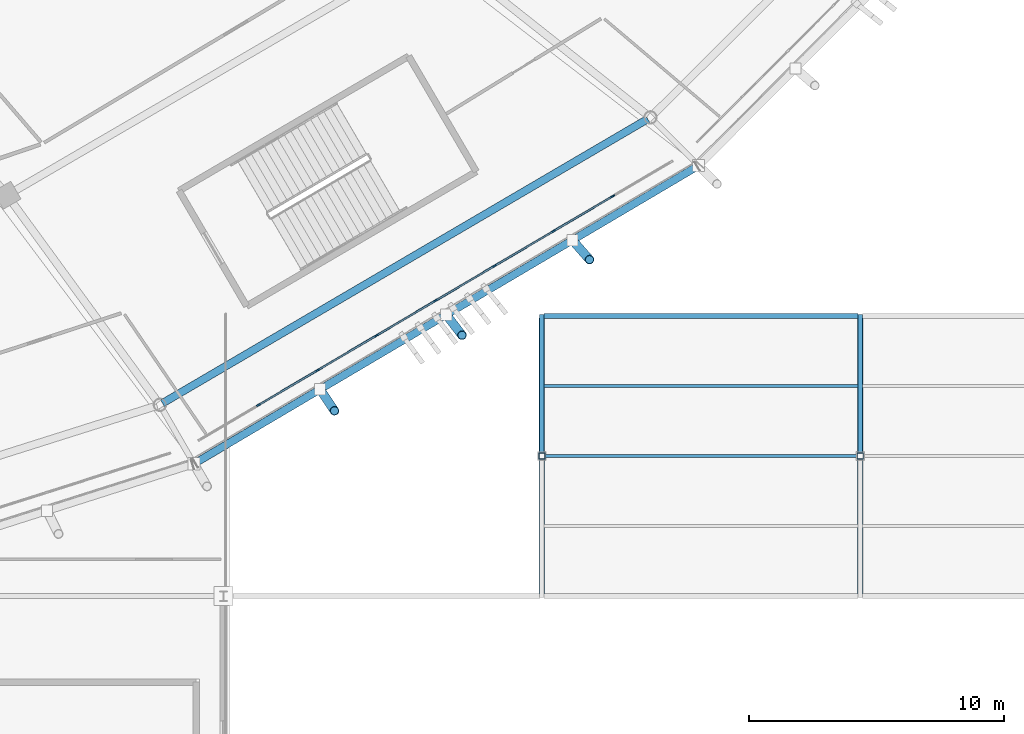
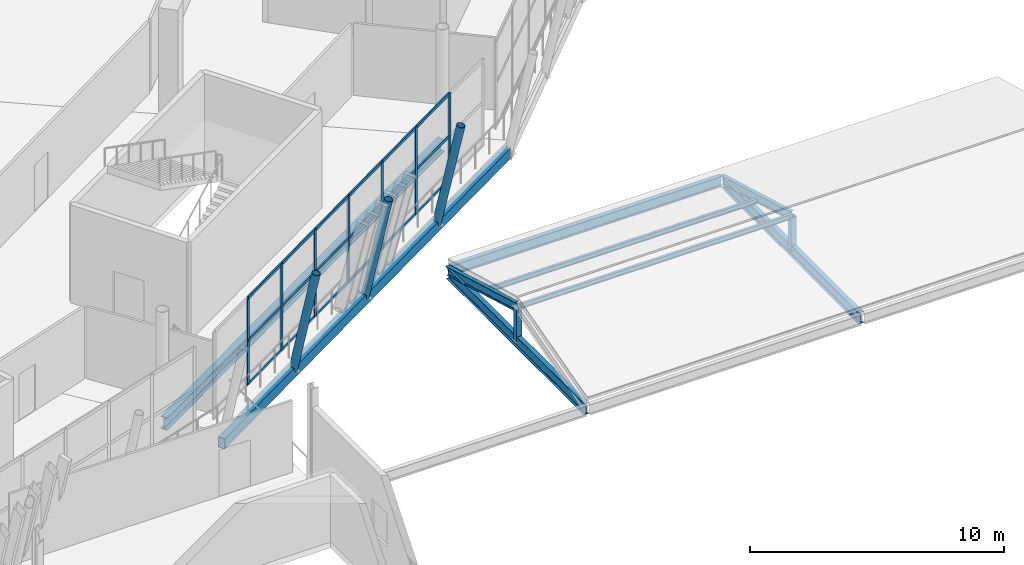
# One storey, part 54 of 179: 34 members, 5 beams, 1 element without a shape of its own.
"""IFC4 building model written with IfcOpenShell, lengths in metres."""

from ifc_helpers import new_model, si_unit, direction, frame, origin, origin_2d, place, context, subcontext, project, spatial, rectangle, hollow_rectangle, hollow_circle, i_section, extrude, material, material_profile, profile_set, type_object, element, aggregate, save


model = new_model("IFC4")

# Units and contexts
model_context = context("Model", 3, precision=1e-05, world=origin(), true_north=direction((0.0, 1.0)))
body_context = subcontext(model_context, "Body", "Model", "MODEL_VIEW")
ifc_project = project(units=[si_unit("LENGTHUNIT", "METRE"), si_unit("AREAUNIT", "SQUARE_METRE"), si_unit("VOLUMEUNIT", "CUBIC_METRE"), si_unit("PLANEANGLEUNIT", "RADIAN"), si_unit("MASSUNIT", "GRAM", prefix="KILO")], contexts=[model_context])

# Site, building, storey
site_placement = place(None, origin())
site = spatial("IfcSite", under=ifc_project, at=site_placement, CompositionType="ELEMENT")
building_placement = place(site_placement, origin())
building = spatial("IfcBuilding", under=site, at=building_placement, Name="Zlatoyarsky Gate Stadium", CompositionType="ELEMENT")
storey_placement = place(building_placement, frame((0.0, 0.0, 10.60009765625)))
storey = spatial("IfcBuildingStorey", under=building, at=storey_placement, Name="L02", CompositionType="ELEMENT", Elevation=10.60009765625)

# Curtain wall, members
ifc_material_1 = material(Name="Thermally broken anodised aluminium curtain wall", Category="aluminium")
curtain_wall_type = type_object("IfcCurtainWallType", Name="UNITISED HOSPITALITY GLAZING L02", PredefinedType="USERDEFINED", material=ifc_material_1)
curtain_wall_placement = place(storey_placement, origin())
curtain_wall = element("IfcCurtainWall", 1, at=curtain_wall_placement, inside=storey, type_object=curtain_wall_type, Name="Curtain wall CW-L02-20", ObjectType="UNITISED GLAZING", PredefinedType="USERDEFINED")
ifc_material_2 = material(Name="Anodised aluminium 6063-T6", Category="aluminium")
ifc_material_profile_1 = material_profile(ifc_material_2, rectangle(XDim=0.06494140625, YDim=0.159912109375, at=origin_2d()), Name="ALU 65X160")
ifc_profile_set_1 = profile_set([ifc_material_profile_1], Name="Anodised aluminium 6063-T6")
member_type_1 = type_object("IfcMemberType", Name="ALUMINIUM MULLION 65X160", PredefinedType="MULLION", material=ifc_profile_set_1)
member_1_placement = place(storey_placement, frame((161.36669921875, 18.498291015625, 0.0), z_axis=(0.0, 0.0, 1.0), x_axis=(-0.507884392586, 0.861425239802, 0.0)))
member_1 = element("IfcMember", 2, at=member_1_placement, type_object=member_type_1, Name="CW-UG2 mullion 2", PredefinedType="MULLION", context=body_context, shape_type="SweptSolid", body=[
    extrude(rectangle(XDim=0.06494140625, YDim=0.159912109375, at=origin_2d()), origin(), (0.0, 0.0, 1.0), 4.199951171875),
])
member_2_placement = place(storey_placement, frame((163.685546875, 19.865234375, 0.0), z_axis=(0.0, 0.0, 1.0), x_axis=(-0.507884392586, 0.861425239802, 0.0)))
member_2 = element("IfcMember", 3, at=member_2_placement, type_object=member_type_1, Name="CW-UG2 mullion 3", PredefinedType="MULLION", context=body_context, shape_type="SweptSolid", body=[
    extrude(rectangle(XDim=0.06494140625, YDim=0.159912109375, at=origin_2d()), origin(), (0.0, 0.0, 1.0), 4.199951171875),
])
member_3_placement = place(storey_placement, frame((166.004150390625, 21.232421875, 0.0), z_axis=(0.0, 0.0, 1.0), x_axis=(-0.507884392586, 0.861425239802, 0.0)))
member_3 = element("IfcMember", 4, at=member_3_placement, type_object=member_type_1, Name="CW-UG2 mullion 4", PredefinedType="MULLION", context=body_context, shape_type="SweptSolid", body=[
    extrude(rectangle(XDim=0.06494140625, YDim=0.159912109375, at=origin_2d()), origin(), (0.0, 0.0, 1.0), 4.199951171875),
])
member_4_placement = place(storey_placement, frame((168.322998046875, 22.599609375, 0.0), z_axis=(0.0, 0.0, 1.0), x_axis=(-0.507884392586, 0.861425239802, 0.0)))
member_4 = element("IfcMember", 5, at=member_4_placement, type_object=member_type_1, Name="CW-UG2 mullion 5", PredefinedType="MULLION", context=body_context, shape_type="SweptSolid", body=[
    extrude(rectangle(XDim=0.06494140625, YDim=0.159912109375, at=origin_2d()), origin(), (0.0, 0.0, 1.0), 4.199951171875),
])
member_5_placement = place(storey_placement, frame((170.641845703125, 23.966796875, 0.0), z_axis=(0.0, 0.0, 1.0), x_axis=(-0.507884392586, 0.861425239802, 0.0)))
member_5 = element("IfcMember", 6, at=member_5_placement, type_object=member_type_1, Name="CW-UG2 mullion 6", PredefinedType="MULLION", context=body_context, shape_type="SweptSolid", body=[
    extrude(rectangle(XDim=0.06494140625, YDim=0.159912109375, at=origin_2d()), origin(), (0.0, 0.0, 1.0), 4.199951171875),
])
member_6_placement = place(storey_placement, frame((172.960693359375, 25.333740234375, 0.0), z_axis=(0.0, 0.0, 1.0), x_axis=(-0.507884392586, 0.861425239802, 0.0)))
member_6 = element("IfcMember", 7, at=member_6_placement, type_object=member_type_1, Name="CW-UG2 mullion 7", PredefinedType="MULLION", context=body_context, shape_type="SweptSolid", body=[
    extrude(rectangle(XDim=0.06494140625, YDim=0.159912109375, at=origin_2d()), origin(), (0.0, 0.0, 1.0), 4.199951171875),
])
member_7_placement = place(storey_placement, frame((175.279296875, 26.700927734375, 0.0), z_axis=(0.0, 0.0, 1.0), x_axis=(-0.507884392586, 0.861425239802, 0.0)))
member_7 = element("IfcMember", 8, at=member_7_placement, type_object=member_type_1, Name="CW-UG2 mullion 8", PredefinedType="MULLION", context=body_context, shape_type="SweptSolid", body=[
    extrude(rectangle(XDim=0.06494140625, YDim=0.159912109375, at=origin_2d()), origin(), (0.0, 0.0, 1.0), 4.199951171875),
])
ifc_material_profile_2 = material_profile(ifc_material_2, rectangle(XDim=0.06494140625, YDim=0.139892578125, at=origin_2d()), Name="ALU 65X140")
ifc_profile_set_2 = profile_set([ifc_material_profile_2], Name="Anodised aluminium 6063-T6")
member_type_2 = type_object("IfcMemberType", Name="ALUMINIUM TRANSOM 65X140", PredefinedType="USERDEFINED", material=ifc_profile_set_2)
member_8_placement = place(storey_placement, frame((161.394775390625, 18.5146484375, 0.032470703125), z_axis=(0.861396142351, 0.507933741686, 0.0), x_axis=(-0.507933741686, 0.861396142351, 0.0)))
member_8 = element("IfcMember", 9, at=member_8_placement, type_object=member_type_2, Name="CW-UG2 transom 2.1", ObjectType="TRANSOM", PredefinedType="USERDEFINED", context=body_context, shape_type="SweptSolid", body=[
    extrude(rectangle(XDim=0.06494140625, YDim=0.139892578125, at=origin_2d()), origin(), (0.0, 0.0, 1.0), 2.626708984375),
])
member_9_placement = place(storey_placement, frame((161.394775390625, 18.5146484375, 2.14990234375), z_axis=(0.861396142351, 0.507933741686, 0.0), x_axis=(-0.507933741686, 0.861396142351, 0.0)))
member_9 = element("IfcMember", 10, at=member_9_placement, type_object=member_type_2, Name="CW-UG2 transom 2.2", ObjectType="TRANSOM", PredefinedType="USERDEFINED", context=body_context, shape_type="SweptSolid", body=[
    extrude(rectangle(XDim=0.06494140625, YDim=0.139892578125, at=origin_2d()), origin(), (0.0, 0.0, 1.0), 2.626708984375),
])
member_10_placement = place(storey_placement, frame((161.394775390625, 18.5146484375, 4.16748046875), z_axis=(0.861396142351, 0.507933741686, 0.0), x_axis=(-0.507933741686, 0.861396142351, 0.0)))
member_10 = element("IfcMember", 11, at=member_10_placement, type_object=member_type_2, Name="CW-UG2 transom 2.3", ObjectType="TRANSOM", PredefinedType="USERDEFINED", context=body_context, shape_type="SweptSolid", body=[
    extrude(rectangle(XDim=0.06494140625, YDim=0.139892578125, at=origin_2d()), origin(), (0.0, 0.0, 1.0), 2.626708984375),
])
member_11_placement = place(storey_placement, frame((163.71337890625, 19.8818359375, 0.032470703125), z_axis=(0.861420118469, 0.507893078804, 0.0), x_axis=(-0.507893078804, 0.861420118469, 0.0)))
member_11 = element("IfcMember", 12, at=member_11_placement, type_object=member_type_2, Name="CW-UG2 transom 3.1", ObjectType="TRANSOM", PredefinedType="USERDEFINED", context=body_context, shape_type="SweptSolid", body=[
    extrude(rectangle(XDim=0.06494140625, YDim=0.139892578125, at=origin_2d()), origin(), (0.0, 0.0, 1.0), 2.626953125),
])
member_12_placement = place(storey_placement, frame((163.71337890625, 19.8818359375, 2.14990234375), z_axis=(0.861420118469, 0.507893078804, 0.0), x_axis=(-0.507893078804, 0.861420118469, 0.0)))
member_12 = element("IfcMember", 13, at=member_12_placement, type_object=member_type_2, Name="CW-UG2 transom 3.2", ObjectType="TRANSOM", PredefinedType="USERDEFINED", context=body_context, shape_type="SweptSolid", body=[
    extrude(rectangle(XDim=0.06494140625, YDim=0.139892578125, at=origin_2d()), origin(), (0.0, 0.0, 1.0), 2.626953125),
])
member_13_placement = place(storey_placement, frame((163.71337890625, 19.8818359375, 4.16748046875), z_axis=(0.861420118469, 0.507893078804, 0.0), x_axis=(-0.507893078804, 0.861420118469, 0.0)))
member_13 = element("IfcMember", 14, at=member_13_placement, type_object=member_type_2, Name="CW-UG2 transom 3.3", ObjectType="TRANSOM", PredefinedType="USERDEFINED", context=body_context, shape_type="SweptSolid", body=[
    extrude(rectangle(XDim=0.06494140625, YDim=0.139892578125, at=origin_2d()), origin(), (0.0, 0.0, 1.0), 2.626953125),
])
member_14_placement = place(storey_placement, frame((166.0322265625, 21.2490234375, 0.032470703125), z_axis=(0.86146077782, 0.507824111556, 0.0), x_axis=(-0.507824111556, 0.86146077782, 0.0)))
member_14 = element("IfcMember", 15, at=member_14_placement, type_object=member_type_2, Name="CW-UG2 transom 4.1", ObjectType="TRANSOM", PredefinedType="USERDEFINED", context=body_context, shape_type="SweptSolid", body=[
    extrude(rectangle(XDim=0.06494140625, YDim=0.139892578125, at=origin_2d()), origin(), (0.0, 0.0, 1.0), 2.626953125),
])
member_15_placement = place(storey_placement, frame((166.0322265625, 21.2490234375, 2.14990234375), z_axis=(0.86146077782, 0.507824111556, 0.0), x_axis=(-0.507824111556, 0.86146077782, 0.0)))
member_15 = element("IfcMember", 16, at=member_15_placement, type_object=member_type_2, Name="CW-UG2 transom 4.2", ObjectType="TRANSOM", PredefinedType="USERDEFINED", context=body_context, shape_type="SweptSolid", body=[
    extrude(rectangle(XDim=0.06494140625, YDim=0.139892578125, at=origin_2d()), origin(), (0.0, 0.0, 1.0), 2.626953125),
])
member_16_placement = place(storey_placement, frame((166.0322265625, 21.2490234375, 4.16748046875), z_axis=(0.86146077782, 0.507824111556, 0.0), x_axis=(-0.507824111556, 0.86146077782, 0.0)))
member_16 = element("IfcMember", 17, at=member_16_placement, type_object=member_type_2, Name="CW-UG2 transom 4.3", ObjectType="TRANSOM", PredefinedType="USERDEFINED", context=body_context, shape_type="SweptSolid", body=[
    extrude(rectangle(XDim=0.06494140625, YDim=0.139892578125, at=origin_2d()), origin(), (0.0, 0.0, 1.0), 2.626953125),
])
member_17_placement = place(storey_placement, frame((168.35107421875, 22.6162109375, 0.032470703125), z_axis=(0.861436807081, 0.507864772755, 0.0), x_axis=(-0.507864772755, 0.861436807081, 0.0)))
member_17 = element("IfcMember", 18, at=member_17_placement, type_object=member_type_2, Name="CW-UG2 transom 5.1", ObjectType="TRANSOM", PredefinedType="USERDEFINED", context=body_context, shape_type="SweptSolid", body=[
    extrude(rectangle(XDim=0.06494140625, YDim=0.139892578125, at=origin_2d()), origin(), (0.0, 0.0, 1.0), 2.626708984375),
])
member_18_placement = place(storey_placement, frame((168.35107421875, 22.6162109375, 2.14990234375), z_axis=(0.861436807081, 0.507864772755, 0.0), x_axis=(-0.507864772755, 0.861436807081, 0.0)))
member_18 = element("IfcMember", 19, at=member_18_placement, type_object=member_type_2, Name="CW-UG2 transom 5.2", ObjectType="TRANSOM", PredefinedType="USERDEFINED", context=body_context, shape_type="SweptSolid", body=[
    extrude(rectangle(XDim=0.06494140625, YDim=0.139892578125, at=origin_2d()), origin(), (0.0, 0.0, 1.0), 2.626708984375),
])
member_19_placement = place(storey_placement, frame((168.35107421875, 22.6162109375, 4.16748046875), z_axis=(0.861436807081, 0.507864772755, 0.0), x_axis=(-0.507864772755, 0.861436807081, 0.0)))
member_19 = element("IfcMember", 20, at=member_19_placement, type_object=member_type_2, Name="CW-UG2 transom 5.3", ObjectType="TRANSOM", PredefinedType="USERDEFINED", context=body_context, shape_type="SweptSolid", body=[
    extrude(rectangle(XDim=0.06494140625, YDim=0.139892578125, at=origin_2d()), origin(), (0.0, 0.0, 1.0), 2.626708984375),
])
member_20_placement = place(storey_placement, frame((170.669921875, 23.983154296875, 0.032470703125), z_axis=(0.861396142351, 0.507933741686, 0.0), x_axis=(-0.507933741686, 0.861396142351, 0.0)))
member_20 = element("IfcMember", 21, at=member_20_placement, type_object=member_type_2, Name="CW-UG2 transom 6.1", ObjectType="TRANSOM", PredefinedType="USERDEFINED", context=body_context, shape_type="SweptSolid", body=[
    extrude(rectangle(XDim=0.06494140625, YDim=0.139892578125, at=origin_2d()), origin(), (0.0, 0.0, 1.0), 2.626708984375),
])
member_21_placement = place(storey_placement, frame((170.669921875, 23.983154296875, 2.14990234375), z_axis=(0.861396142351, 0.507933741686, 0.0), x_axis=(-0.507933741686, 0.861396142351, 0.0)))
member_21 = element("IfcMember", 22, at=member_21_placement, type_object=member_type_2, Name="CW-UG2 transom 6.2", ObjectType="TRANSOM", PredefinedType="USERDEFINED", context=body_context, shape_type="SweptSolid", body=[
    extrude(rectangle(XDim=0.06494140625, YDim=0.139892578125, at=origin_2d()), origin(), (0.0, 0.0, 1.0), 2.626708984375),
])
member_22_placement = place(storey_placement, frame((170.669921875, 23.983154296875, 4.16748046875), z_axis=(0.861396142351, 0.507933741686, 0.0), x_axis=(-0.507933741686, 0.861396142351, 0.0)))
member_22 = element("IfcMember", 23, at=member_22_placement, type_object=member_type_2, Name="CW-UG2 transom 6.3", ObjectType="TRANSOM", PredefinedType="USERDEFINED", context=body_context, shape_type="SweptSolid", body=[
    extrude(rectangle(XDim=0.06494140625, YDim=0.139892578125, at=origin_2d()), origin(), (0.0, 0.0, 1.0), 2.626708984375),
])
member_23_placement = place(storey_placement, frame((172.988525390625, 25.350341796875, 0.032470703125), z_axis=(0.861420118469, 0.507893078804, 0.0), x_axis=(-0.507893078804, 0.861420118469, 0.0)))
member_23 = element("IfcMember", 24, at=member_23_placement, type_object=member_type_2, Name="CW-UG2 transom 7.1", ObjectType="TRANSOM", PredefinedType="USERDEFINED", context=body_context, shape_type="SweptSolid", body=[
    extrude(rectangle(XDim=0.06494140625, YDim=0.139892578125, at=origin_2d()), origin(), (0.0, 0.0, 1.0), 2.626953125),
])
member_24_placement = place(storey_placement, frame((172.988525390625, 25.350341796875, 2.14990234375), z_axis=(0.861420118469, 0.507893078804, 0.0), x_axis=(-0.507893078804, 0.861420118469, 0.0)))
member_24 = element("IfcMember", 25, at=member_24_placement, type_object=member_type_2, Name="CW-UG2 transom 7.2", ObjectType="TRANSOM", PredefinedType="USERDEFINED", context=body_context, shape_type="SweptSolid", body=[
    extrude(rectangle(XDim=0.06494140625, YDim=0.139892578125, at=origin_2d()), origin(), (0.0, 0.0, 1.0), 2.626953125),
])
member_25_placement = place(storey_placement, frame((172.988525390625, 25.350341796875, 4.16748046875), z_axis=(0.861420118469, 0.507893078804, 0.0), x_axis=(-0.507893078804, 0.861420118469, 0.0)))
member_25 = element("IfcMember", 26, at=member_25_placement, type_object=member_type_2, Name="CW-UG2 transom 7.3", ObjectType="TRANSOM", PredefinedType="USERDEFINED", context=body_context, shape_type="SweptSolid", body=[
    extrude(rectangle(XDim=0.06494140625, YDim=0.139892578125, at=origin_2d()), origin(), (0.0, 0.0, 1.0), 2.626953125),
])
aggregate(curtain_wall, [member_1, member_2, member_3, member_4, member_5, member_6, member_7, member_8, member_9, member_10, member_11, member_12, member_13, member_14, member_15, member_16, member_17, member_18, member_19, member_20, member_21, member_22, member_23, member_24, member_25])

# Beams
ifc_material_3 = material(Name="Steel S355", Category="steel")
ifc_material_profile_3 = material_profile(ifc_material_3, i_section(OverallWidth=0.199951171875, OverallDepth=0.5, WebThickness=0.01025390625, FlangeThickness=0.01611328125, FilletRadius=0.02099609375, at=origin_2d()), Name="IPE 500")
ifc_profile_set_3 = profile_set([ifc_material_profile_3], Name="Steel S355")
beam_type_1 = type_object("IfcBeamType", Name="STEEL FLOOR BEAM IPE 500", PredefinedType="BEAM", material=ifc_profile_set_3)
beam_1_placement = place(storey_placement, frame((172.580078125, 22.0, -0.530029296875), z_axis=(1.0, 0.0, 0.0), x_axis=(0.0, 1.0, 0.0)))
element("IfcBeam", 27, at=beam_1_placement, inside=storey, type_object=beam_type_1, Name="Beam B-IPE500 BM-L02-WGX-15-C", PredefinedType="BEAM", context=body_context, shape_type="SweptSolid", body=[
    extrude(i_section(OverallWidth=0.199951171875, OverallDepth=0.5, WebThickness=0.01025390625, FlangeThickness=0.01611328125, FilletRadius=0.02099609375, at=origin_2d()), origin(), (0.0, 0.0, 1.0), 12.33984375),
])
ifc_material_profile_4 = material_profile(ifc_material_3, i_section(OverallWidth=0.2099609375, OverallDepth=0.550048828125, WebThickness=0.010986328125, FlangeThickness=0.01708984375, FilletRadius=0.02392578125, at=origin_2d()), Name="IPE 550")
ifc_profile_set_4 = profile_set([ifc_material_profile_4], Name="Steel S355")
beam_type_2 = type_object("IfcBeamType", Name="STEEL FLOOR BEAM IPE 550", PredefinedType="BEAM", material=ifc_profile_set_4)
for number, where, z_axis, x_axis, name in (
    (28, (172.5, 11.080078125, -0.55517578125), (0.0, 1.0, 0.0), (-1.0, 0.0, 0.0), "Beam B-IPE550 BM-L02-WGY-15-B"),
    (29, (185.0, 11.080078125, -0.55517578125), (0.0, 1.0, 0.0), (-1.0, 0.0, 0.0), "Beam B-IPE550 BM-L02-WGY-16-B"),
):
    element("IfcBeam", number, at=place(storey_placement, frame(where, z_axis=z_axis, x_axis=x_axis)), inside=storey, type_object=beam_type_2, Name=name, PredefinedType="BEAM", context=body_context, shape_type="SweptSolid", body=[
        extrude(i_section(OverallWidth=0.2099609375, OverallDepth=0.550048828125, WebThickness=0.010986328125, FlangeThickness=0.01708984375, FilletRadius=0.02392578125, at=origin_2d()), origin(), (0.0, 0.0, 1.0), 10.83984375),
    ])

# Members
ifc_material_profile_5 = material_profile(ifc_material_3, hollow_circle(Radius=0.177734375, WallThickness=0.02001953125, at=origin_2d()), Name="CHS 355.6X20")
ifc_profile_set_5 = profile_set([ifc_material_profile_5], Name="Steel S355")
member_type_3 = type_object("IfcMemberType", Name="STEEL LEANING RIB RING STRUT CHS 355.6X20", PredefinedType="STRUT", material=ifc_profile_set_5)
member_26_placement = place(storey_placement, frame((163.791748046875, 19.121826171875, -0.530029296875), z_axis=(0.110949332058, -0.16616085823, 0.97983713693), x_axis=(0.831644832177, 0.555307908384, 0.0)))
element("IfcMember", 30, at=member_26_placement, inside=storey, type_object=member_type_3, Name="Outward-leaning bowl louvre fin rib L02 20-1", PredefinedType="STRUT", context=body_context, shape_type="SweptSolid", body=[
    extrude(hollow_circle(Radius=0.177734375, WallThickness=0.02001953125, at=origin_2d()), origin(), (0.0, 0.0, 1.0), 5.102783203125),
])
member_27_placement = place(storey_placement, frame((168.74560546875, 22.049072265625, -0.530029296875), z_axis=(0.121388529954, -0.158230929664, 0.979912137742), x_axis=(0.793417106394, 0.608678318392, 0.0)))
element("IfcMember", 31, at=member_27_placement, inside=storey, type_object=member_type_3, Name="Outward-leaning bowl louvre fin rib L02 20-2", PredefinedType="STRUT", context=body_context, shape_type="SweptSolid", body=[
    extrude(hollow_circle(Radius=0.177734375, WallThickness=0.02001953125, at=origin_2d()), origin(), (0.0, 0.0, 1.0), 5.1025390625),
])
member_28_placement = place(storey_placement, frame((173.69921875, 24.976318359375, -0.530029296875), z_axis=(0.131807617204, -0.150227193474, 0.979825771445), x_axis=(0.751686237623, 0.659520886832, 0.0)))
element("IfcMember", 32, at=member_28_placement, inside=storey, type_object=member_type_3, Name="Outward-leaning bowl louvre fin rib L02 20-3", PredefinedType="STRUT", context=body_context, shape_type="SweptSolid", body=[
    extrude(hollow_circle(Radius=0.177734375, WallThickness=0.02001953125, at=origin_2d()), origin(), (0.0, 0.0, 1.0), 5.10302734375),
])

# Beam
ifc_material_profile_6 = material_profile(ifc_material_3, hollow_rectangle(XDim=0.300048828125, YDim=0.5, WallThickness=0.02001953125, at=origin_2d()), Name="RHS 500X300X20")
ifc_profile_set_6 = profile_set([ifc_material_profile_6], Name="Steel S355")
beam_type_3 = type_object("IfcBeamType", Name="STEEL LOUVRE CARRIER SPANDREL RHS 500X300X20", PredefinedType="SPANDREL", material=ifc_profile_set_6)
beam_2_placement = place(storey_placement, frame((158.855224609375, 16.205078125, -0.530029296875), z_axis=(0.860938797481, 0.50870854818, 0.0), x_axis=(-0.50870854818, 0.860938797481, 0.0)))
element("IfcBeam", 33, at=beam_2_placement, inside=storey, type_object=beam_type_3, Name="Beam SP-RHS500 BM-L02-SPD-20", PredefinedType="SPANDREL", context=body_context, shape_type="SweptSolid", body=[
    extrude(hollow_rectangle(XDim=0.300048828125, YDim=0.5, WallThickness=0.02001953125, at=origin_2d()), origin(), (0.0, 0.0, 1.0), 22.975830078125),
])

# Members
ifc_material_profile_7 = material_profile(ifc_material_3, i_section(OverallWidth=0.1201171875, OverallDepth=0.239990234375, WebThickness=0.006103515625, FlangeThickness=0.009765625, FilletRadius=0.014892578125, at=origin_2d()), Name="IPE 240")
ifc_profile_set_7 = profile_set([ifc_material_profile_7], Name="Steel S355")
member_type_4 = type_object("IfcMemberType", Name="STEEL PAVILION ROOF PURLIN IPE 240", PredefinedType="PURLIN", material=ifc_profile_set_7)
for number, where, z_axis, x_axis, name in (
    (34, (172.5, 16.5, 1.06982421875), (1.0, 0.0, 0.0), (0.0, 1.0, 0.0), "V6_SE ridge purlin 1"),
    (35, (172.5, 19.25, 0.14501953125), (1.0, 0.0, 0.0), (0.0, 1.0, 0.0), "V6_SE roof purlin 1N"),
):
    element("IfcMember", number, at=place(storey_placement, frame(where, z_axis=z_axis, x_axis=x_axis)), inside=storey, type_object=member_type_4, Name=name, PredefinedType="PURLIN", context=body_context, shape_type="SweptSolid", body=[
        extrude(i_section(OverallWidth=0.1201171875, OverallDepth=0.239990234375, WebThickness=0.006103515625, FlangeThickness=0.009765625, FilletRadius=0.014892578125, at=origin_2d()), origin(), (0.0, 0.0, 1.0), 12.5),
    ])
ifc_material_profile_8 = material_profile(ifc_material_3, i_section(OverallWidth=0.179931640625, OverallDepth=0.39990234375, WebThickness=0.008544921875, FlangeThickness=0.013427734375, FilletRadius=0.02099609375, at=origin_2d()), Name="IPE 400")
ifc_profile_set_8 = profile_set([ifc_material_profile_8], Name="Steel S355")
member_type_5 = type_object("IfcMemberType", Name="STEEL PAVILION ROOF RAFTER IPE 400", PredefinedType="RAFTER", material=ifc_profile_set_8)
for number, where, z_axis, x_axis, name in (
    (36, (172.5, 22.0, -0.5), (0.0, -0.961598006641, 0.274461789005), (1.0, 0.0, 0.0), "V6_SE roof rafter 1B"),
    (37, (185.0, 22.0, -0.5), (0.0, -0.961598006641, 0.274461789005), (1.0, 0.0, 0.0), "V6_SE roof rafter 2B"),
):
    element("IfcMember", number, at=place(storey_placement, frame(where, z_axis=z_axis, x_axis=x_axis)), inside=storey, type_object=member_type_5, Name=name, PredefinedType="RAFTER", context=body_context, shape_type="SweptSolid", body=[
        extrude(i_section(OverallWidth=0.179931640625, OverallDepth=0.39990234375, WebThickness=0.008544921875, FlangeThickness=0.013427734375, FilletRadius=0.02099609375, at=origin_2d()), origin(), (0.0, 0.0, 1.0), 5.7197265625),
    ])
ifc_material_profile_9 = material_profile(ifc_material_3, hollow_rectangle(XDim=0.25, YDim=0.25, WallThickness=0.01611328125, at=origin_2d()), Name="SHS 250X250X16")
ifc_profile_set_9 = profile_set([ifc_material_profile_9], Name="Steel S355")
member_type_6 = type_object("IfcMemberType", Name="STEEL PAVILION TRUSS STRUT SHS 250X250X16", PredefinedType="STRUT", material=ifc_profile_set_9)
for number, where, z_axis, x_axis, name in (
    (38, (172.5, 16.5, -0.530029296875), (0.0, 0.0, 1.0), (1.0, 0.0, 0.0), "V6_SE king post strut 1"),
    (39, (185.0, 16.5, -0.530029296875), (0.0, 0.0, 1.0), (1.0, 0.0, 0.0), "V6_SE king post strut 2"),
):
    element("IfcMember", number, at=place(storey_placement, frame(where, z_axis=z_axis, x_axis=x_axis)), inside=storey, type_object=member_type_6, Name=name, PredefinedType="STRUT", context=body_context, shape_type="SweptSolid", body=[
        extrude(hollow_rectangle(XDim=0.25, YDim=0.25, WallThickness=0.01611328125, at=origin_2d()), origin(), (0.0, 0.0, 1.0), 1.599853515625),
    ])

# Beam
ifc_material_profile_10 = material_profile(ifc_material_3, i_section(OverallWidth=0.300048828125, OverallDepth=0.60009765625, WebThickness=0.015380859375, FlangeThickness=0.030029296875, FilletRadius=0.027099609375, at=origin_2d()), Name="HEB 600")
ifc_profile_set_10 = profile_set([ifc_material_profile_10], Name="Steel S355")
beam_type_4 = type_object("IfcBeamType", Name="STEEL PRIMARY GIRDER HEB 600", PredefinedType="BEAM", material=ifc_profile_set_10)
beam_3_placement = place(storey_placement, frame((157.603515625, 18.572998046875, -0.580078125), z_axis=(0.862854775092, 0.505451913738, 0.0), x_axis=(-0.505451913738, 0.862854775092, 0.0)))
element("IfcBeam", 40, at=beam_3_placement, inside=storey, type_object=beam_type_4, Name="Beam G-HEB600 BM-L02-CRC-20", PredefinedType="BEAM", context=body_context, shape_type="SweptSolid", body=[
    extrude(i_section(OverallWidth=0.300048828125, OverallDepth=0.60009765625, WebThickness=0.015380859375, FlangeThickness=0.030029296875, FilletRadius=0.027099609375, at=origin_2d()), origin(), (0.0, 0.0, 1.0), 22.08251953125),
])

save(model, "model.ifc")
